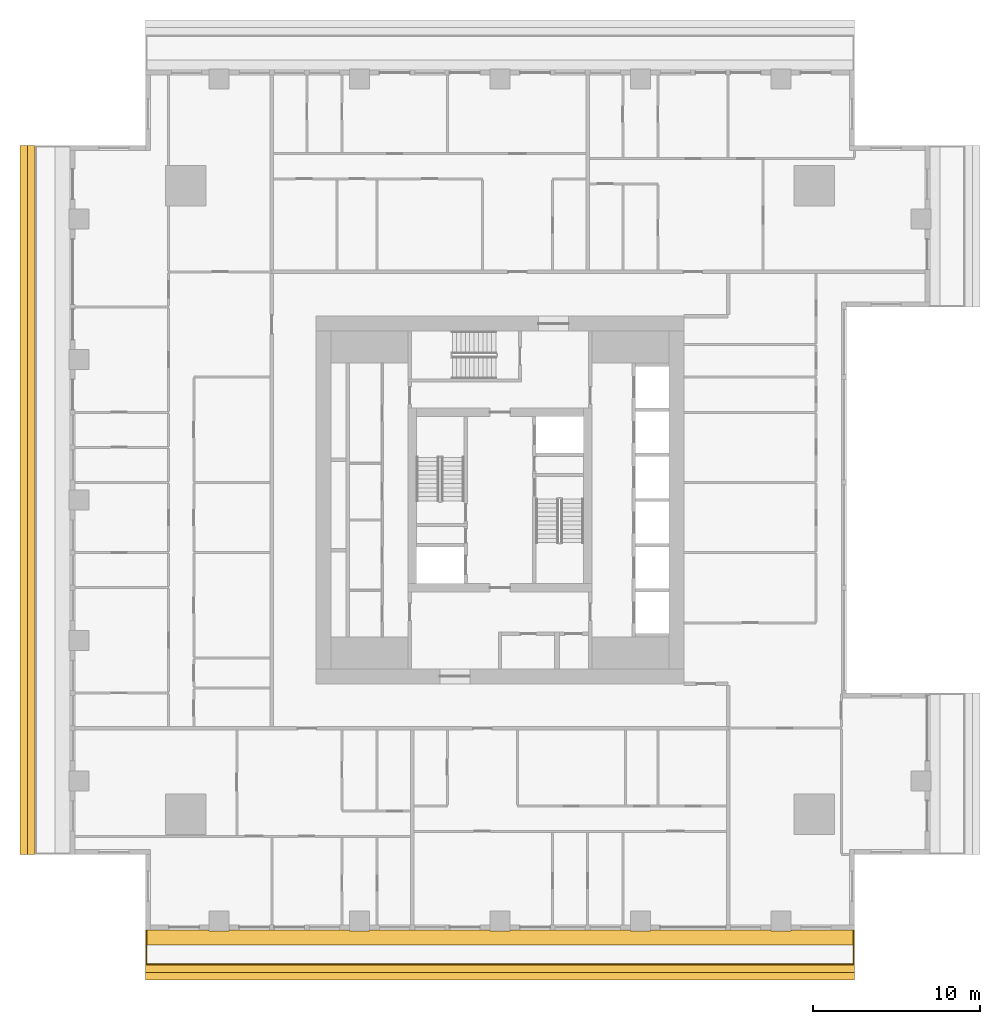
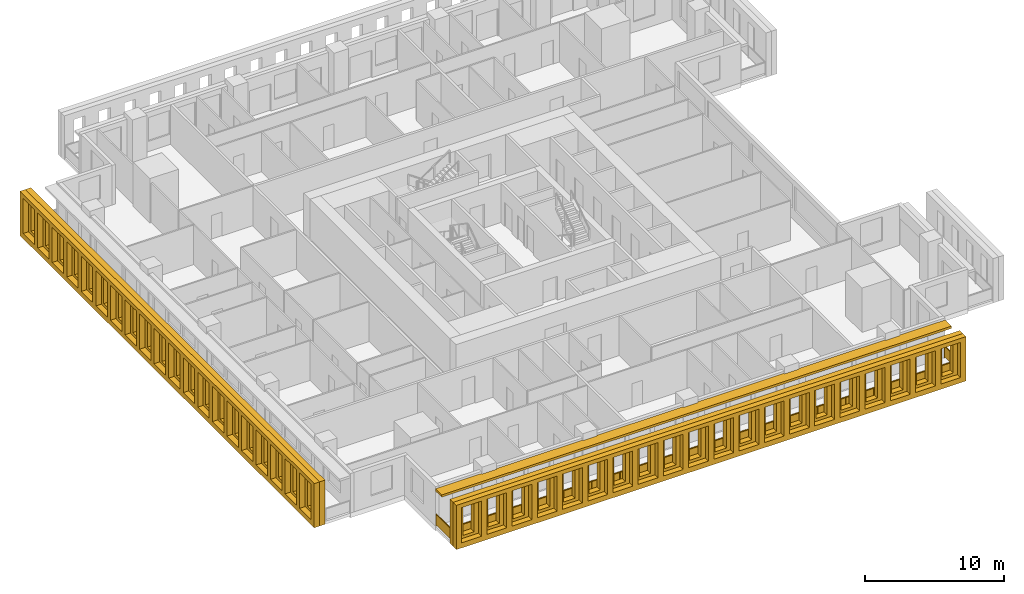
# One storey, part 10 of 15: 5 shading devices, 1 railing.
"""IFC4 building model written with IfcOpenShell, lengths in metres."""

import ifcopenshell
import ifcopenshell.guid

model = None  # the IFC model being written
_history = None  # IfcOwnerHistory: only IFC2X3 demands one
_inside = {}  # id of a spatial element -> (the spatial element, [elements in it])
_under = {}  # id of a project, library or spatial element -> (it, [spatial elements below it])
_declared = {}  # id of a project -> (the project, [libraries it declares])
_typed = {}  # id of a type object -> (the type object, [elements of that type])
_made_of = {}  # id of a material, layer set ... -> (it, [elements and type objects made of it])


def new_model(schema):
    """Start an empty IFC model of exactly this schema.

    Asked for "IFC4X3", IfcOpenShell would pick the latest addendum, in which some entities
    have other attributes; the version numbers below select the first issue.
    IFC2X3 requires an IfcOwnerHistory on every rooted entity: one is made here for all.
    """
    global model, _history
    if schema == "IFC4X3":
        model = ifcopenshell.file(schema_version=(4, 3, 0, 0))
    else:
        model = ifcopenshell.file(schema=schema)
    _inside.clear()
    _under.clear()
    _declared.clear()
    _typed.clear()
    _made_of.clear()
    _history = None
    if model.schema == "IFC2X3":
        org = make("IfcOrganization", Name="unknown")
        user = make(
            "IfcPersonAndOrganization",
            ThePerson=make("IfcPerson", FamilyName="unknown"),
            TheOrganization=org,
        )
        app = make(
            "IfcApplication",
            ApplicationDeveloper=org,
            Version="unknown",
            ApplicationFullName="unknown",
            ApplicationIdentifier="unknown",
        )
        _history = make(
            "IfcOwnerHistory",
            OwningUser=user,
            OwningApplication=app,
            ChangeAction="ADDED",
            CreationDate=0,
        )
    return model


def make(cls, **values):
    """One entity of the class cls with the attributes given. An attribute that is None is left unset."""
    return model.create_entity(
        cls, **{name: value for name, value in values.items() if value is not None}
    )


def rooted(cls, **values):
    """An entity with a GlobalId (a new one), such as an element, a storey or a relation."""
    return make(cls, GlobalId=ifcopenshell.guid.new(), OwnerHistory=_history, **values)


def si_unit(unit_type, name, prefix=None):
    """IfcSIUnit, for example si_unit("LENGTHUNIT", "METRE", prefix="MILLI")."""
    return make("IfcSIUnit", UnitType=unit_type, Prefix=prefix, Name=name)


def assignment(units):
    """IfcUnitAssignment: the units of a project."""
    return None if units is None else make("IfcUnitAssignment", Units=units)


def point(xyz):
    """IfcCartesianPoint."""
    return None if xyz is None else make("IfcCartesianPoint", Coordinates=xyz)


def direction(xyz):
    """IfcDirection."""
    return None if xyz is None else make("IfcDirection", DirectionRatios=xyz)


def frame(location, z_axis=None, x_axis=None):
    """IfcAxis2Placement3D, a coordinate frame: its origin and axes. An axis left out is left unset."""
    return make(
        "IfcAxis2Placement3D",
        Location=point(location),
        Axis=direction(z_axis),
        RefDirection=direction(x_axis),
    )


def frame_2d(location, x_axis=None):
    """IfcAxis2Placement2D, a coordinate frame in the plane: its origin and x axis."""
    return make(
        "IfcAxis2Placement2D", Location=point(location), RefDirection=direction(x_axis)
    )


def origin():
    """The frame at (0, 0, 0) with its axes left unset."""
    return frame((0.0, 0.0, 0.0))


def origin_2d():
    """The frame at (0, 0) in the plane with its x axis left unset."""
    return frame_2d((0.0, 0.0))


def place(relative_to, where):
    """IfcLocalPlacement: puts the frame where relative to a parent placement (None: the world)."""
    return make(
        "IfcLocalPlacement", PlacementRelTo=relative_to, RelativePlacement=where
    )


def context(
    kind, dimensions, precision=None, world=None, true_north=None, identifier=None
):
    """IfcGeometricRepresentationContext, for example the 3D "Model" context."""
    return make(
        "IfcGeometricRepresentationContext",
        ContextIdentifier=identifier,
        ContextType=kind,
        CoordinateSpaceDimension=dimensions,
        Precision=precision,
        WorldCoordinateSystem=world,
        TrueNorth=true_north,
    )


def subcontext(parent, identifier, kind, view, scale=None):
    """IfcGeometricRepresentationSubContext, for example "Body" below "Model"."""
    return make(
        "IfcGeometricRepresentationSubContext",
        ContextIdentifier=identifier,
        ContextType=kind,
        ParentContext=parent,
        TargetScale=scale,
        TargetView=view,
    )


def project(units=None, contexts=None):
    """IfcProject with its units and contexts."""
    return rooted(
        "IfcProject",
        Name="project",
        RepresentationContexts=contexts,
        UnitsInContext=assignment(units),
    )


def spatial(cls, under=None, at=None, **own):
    """A site, building, storey or space (cls), placed at a placement, below another one or the project."""
    s = rooted(cls, ObjectPlacement=at, **own)
    if under is not None:
        _under.setdefault(under.id(), (under, []))[1].append(s)
    return s


def polyline(points):
    """IfcPolyline through the points."""
    return make("IfcPolyline", Points=[point(p) for p in points])


def profile(cls, at=None, kind="AREA", **sizes):
    """A parametric profile (cls). Its sizes go by their IFC names, for example OverallWidth=200.0."""
    return make(cls, ProfileType=kind, Position=at, **sizes)


def rectangle(**sizes):
    """IfcRectangleProfileDef."""
    return profile("IfcRectangleProfileDef", **sizes)


def outline(outer, holes=None, kind="AREA"):
    """IfcArbitraryClosedProfileDef: a profile drawn as a closed curve; with holes, ...WithVoids."""
    if holes is None:
        return make("IfcArbitraryClosedProfileDef", ProfileType=kind, OuterCurve=outer)
    return make(
        "IfcArbitraryProfileDefWithVoids",
        ProfileType=kind,
        OuterCurve=outer,
        InnerCurves=holes,
    )


def extrude(swept, where, along, depth):
    """IfcExtrudedAreaSolid: the profile swept, set in the frame where, extruded along a direction by depth."""
    return make(
        "IfcExtrudedAreaSolid",
        SweptArea=swept,
        Position=where,
        ExtrudedDirection=direction(along),
        Depth=depth,
    )


def shape(context_of_items, identifier, shape_type, items):
    """IfcShapeRepresentation: the items that make up one representation, for example the "Body"."""
    return make(
        "IfcShapeRepresentation",
        ContextOfItems=context_of_items,
        RepresentationIdentifier=identifier,
        RepresentationType=shape_type,
        Items=items,
    )


def material(Name=None, Category=None):
    """IfcMaterial."""
    return make("IfcMaterial", Name=Name, Category=Category)


def layer(
    of_material, thickness, ventilated=None, Name=None, Category=None, Priority=None
):
    """IfcMaterialLayer: one layer of a wall or slab, of a material (None: an air gap)."""
    return make(
        "IfcMaterialLayer",
        Material=of_material,
        LayerThickness=thickness,
        IsVentilated=ventilated,
        Name=Name,
        Category=Category,
        Priority=Priority,
    )


def layer_set(layers, Name=None):
    """IfcMaterialLayerSet."""
    return make("IfcMaterialLayerSet", MaterialLayers=layers, LayerSetName=Name)


def made_of(thing, what):
    """Note that an element or type object is made of a material, layer set ...; save() writes the relation."""
    if what is not None:
        _made_of.setdefault(what.id(), (what, []))[1].append(thing)
    return thing


def type_object(cls, material=None, **own):
    """A type object (cls), such as IfcWallType, which elements share."""
    return made_of(rooted(cls, **own), material)


def element(
    cls,
    number,
    at=None,
    inside=None,
    cuts=None,
    type_object=None,
    material=None,
    context=None,
    identifier="Body",
    shape_type=None,
    held_by="IfcProductDefinitionShape",
    body=None,
    shapes=None,
    **own,
):
    """One element of the class cls, such as IfcWall. Its Tag is "e" and its number.

    at: its placement. inside: the storey or other place that contains it. cuts: it is an
    opening in that element (IfcRelVoidsElement). A single representation is given by context,
    identifier, shape_type and body (its items); several are given by shapes. held_by: the class
    of the entity that holds the representations. save() writes the other relations.
    """
    e = rooted(cls, Tag="e%d" % number, ObjectPlacement=at, **own)
    if body is not None:
        shapes = [shape(context, identifier, shape_type, body)]
    if shapes is not None:
        e.Representation = make(held_by, Representations=shapes)
    if inside is not None:
        _inside.setdefault(inside.id(), (inside, []))[1].append(e)
    if cuts is not None:
        rooted(
            "IfcRelVoidsElement", RelatingBuildingElement=cuts, RelatedOpeningElement=e
        )
    if type_object is not None:
        _typed.setdefault(type_object.id(), (type_object, []))[1].append(e)
    return made_of(e, material)


def aggregate(whole, parts):
    """IfcRelAggregates: a whole, such as a stair, and the parts it consists of."""
    return rooted("IfcRelAggregates", RelatingObject=whole, RelatedObjects=parts)


def save(model, path):
    """Write the relations noted so far, then the file.

    IfcRelAggregates (storeys below a building ...), IfcRelContainedInSpatialStructure (elements
    in a storey), IfcRelDefinesByType, IfcRelAssociatesMaterial and IfcRelDeclares: one each for
    every whole, place, type object, material and project.
    """
    for whole, parts in _under.values():
        aggregate(whole, parts)
    for where, things in _inside.values():
        rooted(
            "IfcRelContainedInSpatialStructure",
            RelatedElements=things,
            RelatingStructure=where,
        )
    for kind, things in _typed.values():
        rooted("IfcRelDefinesByType", RelatedObjects=things, RelatingType=kind)
    for what, things in _made_of.values():
        rooted("IfcRelAssociatesMaterial", RelatedObjects=things, RelatingMaterial=what)
    for by, libraries in _declared.values():
        rooted("IfcRelDeclares", RelatingContext=by, RelatedDefinitions=libraries)
    model.write(path)


model = new_model("IFC4")

# Units and contexts
model_context = context("Model", 3, precision=1e-05, world=origin(), true_north=direction((0.0, 1.0)))
body_context = subcontext(model_context, "Body", "Model", "MODEL_VIEW")
ifc_project = project(units=[si_unit("LENGTHUNIT", "METRE"), si_unit("AREAUNIT", "SQUARE_METRE"), si_unit("VOLUMEUNIT", "CUBIC_METRE"), si_unit("PLANEANGLEUNIT", "RADIAN"), si_unit("MASSUNIT", "GRAM", prefix="KILO")], contexts=[model_context])

# Site, building, storey
site_placement = place(None, origin())
site = spatial("IfcSite", under=ifc_project, at=site_placement, CompositionType="ELEMENT")
building_placement = place(site_placement, origin())
building = spatial("IfcBuilding", under=site, at=building_placement, Name="Khepri Terraces", CompositionType="ELEMENT")
storey_placement = place(building_placement, frame((0.0, 0.0, 223.5)))
storey = spatial("IfcBuildingStorey", under=building, at=storey_placement, Name="L53", CompositionType="ELEMENT", Elevation=223.5)

# Railing
ifc_material_1 = material(Name="Stainless steel grade 316", Category="steel")
railing_type = type_object("IfcRailingType", Name="GRD-BAL-1100", PredefinedType="GUARDRAIL", material=ifc_material_1)
railing_placement = place(storey_placement, frame((-21.169921875, -25.719970703125, 0.0)))
element("IfcRailing", 1, at=railing_placement, inside=storey, type_object=railing_type, Name="Balcony guard L53 S", PredefinedType="GUARDRAIL", context=body_context, shape_type="SweptSolid", body=[
    extrude(rectangle(XDim=0.050048828125, YDim=0.06005859375, at=origin_2d()), frame((0.0, 0.0, 1.070068359375), z_axis=(0.0, -1.0, 0.0), x_axis=(1.0, 0.0, 0.0)), (0.0, 0.0, 1.0), 2.050048828125),
    extrude(rectangle(XDim=2.0, YDim=0.011962890625, at=origin_2d()), frame((0.0, -1.02490234375, 0.10009765625), z_axis=(0.0, 0.0, 1.0), x_axis=(0.0, -1.0, 0.0)), (0.0, 0.0, 1.0), 0.93994140625),
    extrude(rectangle(XDim=0.050048828125, YDim=0.06005859375, at=origin_2d()), frame((0.0, -2.050048828125, 1.070068359375), z_axis=(1.0, 0.0, 0.0), x_axis=(0.0, 1.0, 0.0)), (0.0, 0.0, 1.0), 42.33984375),
    extrude(rectangle(XDim=2.30224609375, YDim=0.011962890625, at=origin_2d()), frame((1.176025390625, -2.050048828125, 0.10009765625), z_axis=(0.0, 0.0, 1.0), x_axis=(1.0, 0.0, 0.0)), (0.0, 0.0, 1.0), 0.93994140625),
    extrude(rectangle(XDim=2.30224609375, YDim=0.011962890625, at=origin_2d()), frame((3.5283203125, -2.050048828125, 0.10009765625), z_axis=(0.0, 0.0, 1.0), x_axis=(1.0, 0.0, 0.0)), (0.0, 0.0, 1.0), 0.93994140625),
    extrude(rectangle(XDim=2.30224609375, YDim=0.011962890625, at=origin_2d()), frame((5.880615234375, -2.050048828125, 0.10009765625), z_axis=(0.0, 0.0, 1.0), x_axis=(1.0, 0.0, 0.0)), (0.0, 0.0, 1.0), 0.93994140625),
    extrude(rectangle(XDim=2.30224609375, YDim=0.011962890625, at=origin_2d()), frame((8.232666015625, -2.050048828125, 0.10009765625), z_axis=(0.0, 0.0, 1.0), x_axis=(1.0, 0.0, 0.0)), (0.0, 0.0, 1.0), 0.93994140625),
    extrude(rectangle(XDim=2.30224609375, YDim=0.011962890625, at=origin_2d()), frame((10.5849609375, -2.050048828125, 0.10009765625), z_axis=(0.0, 0.0, 1.0), x_axis=(1.0, 0.0, 0.0)), (0.0, 0.0, 1.0), 0.93994140625),
    extrude(rectangle(XDim=2.30224609375, YDim=0.011962890625, at=origin_2d()), frame((12.937255859375, -2.050048828125, 0.10009765625), z_axis=(0.0, 0.0, 1.0), x_axis=(1.0, 0.0, 0.0)), (0.0, 0.0, 1.0), 0.93994140625),
    extrude(rectangle(XDim=2.30224609375, YDim=0.011962890625, at=origin_2d()), frame((15.289306640625, -2.050048828125, 0.10009765625), z_axis=(0.0, 0.0, 1.0), x_axis=(1.0, 0.0, 0.0)), (0.0, 0.0, 1.0), 0.93994140625),
    extrude(rectangle(XDim=2.30224609375, YDim=0.011962890625, at=origin_2d()), frame((17.6416015625, -2.050048828125, 0.10009765625), z_axis=(0.0, 0.0, 1.0), x_axis=(1.0, 0.0, 0.0)), (0.0, 0.0, 1.0), 0.93994140625),
    extrude(rectangle(XDim=2.30224609375, YDim=0.011962890625, at=origin_2d()), frame((19.993896484375, -2.050048828125, 0.10009765625), z_axis=(0.0, 0.0, 1.0), x_axis=(1.0, 0.0, 0.0)), (0.0, 0.0, 1.0), 0.93994140625),
    extrude(rectangle(XDim=2.30224609375, YDim=0.011962890625, at=origin_2d()), frame((22.345947265625, -2.050048828125, 0.10009765625), z_axis=(0.0, 0.0, 1.0), x_axis=(1.0, 0.0, 0.0)), (0.0, 0.0, 1.0), 0.93994140625),
    extrude(rectangle(XDim=2.30224609375, YDim=0.011962890625, at=origin_2d()), frame((24.6982421875, -2.050048828125, 0.10009765625), z_axis=(0.0, 0.0, 1.0), x_axis=(1.0, 0.0, 0.0)), (0.0, 0.0, 1.0), 0.93994140625),
    extrude(rectangle(XDim=2.30224609375, YDim=0.011962890625, at=origin_2d()), frame((27.050537109375, -2.050048828125, 0.10009765625), z_axis=(0.0, 0.0, 1.0), x_axis=(1.0, 0.0, 0.0)), (0.0, 0.0, 1.0), 0.93994140625),
    extrude(rectangle(XDim=2.30224609375, YDim=0.011962890625, at=origin_2d()), frame((29.402587890625, -2.050048828125, 0.10009765625), z_axis=(0.0, 0.0, 1.0), x_axis=(1.0, 0.0, 0.0)), (0.0, 0.0, 1.0), 0.93994140625),
    extrude(rectangle(XDim=2.30224609375, YDim=0.011962890625, at=origin_2d()), frame((31.7548828125, -2.050048828125, 0.10009765625), z_axis=(0.0, 0.0, 1.0), x_axis=(1.0, 0.0, 0.0)), (0.0, 0.0, 1.0), 0.93994140625),
    extrude(rectangle(XDim=2.30224609375, YDim=0.011962890625, at=origin_2d()), frame((34.107177734375, -2.050048828125, 0.10009765625), z_axis=(0.0, 0.0, 1.0), x_axis=(1.0, 0.0, 0.0)), (0.0, 0.0, 1.0), 0.93994140625),
    extrude(rectangle(XDim=2.30224609375, YDim=0.011962890625, at=origin_2d()), frame((36.459228515625, -2.050048828125, 0.10009765625), z_axis=(0.0, 0.0, 1.0), x_axis=(1.0, 0.0, 0.0)), (0.0, 0.0, 1.0), 0.93994140625),
    extrude(rectangle(XDim=2.30224609375, YDim=0.011962890625, at=origin_2d()), frame((38.8115234375, -2.050048828125, 0.10009765625), z_axis=(0.0, 0.0, 1.0), x_axis=(1.0, 0.0, 0.0)), (0.0, 0.0, 1.0), 0.93994140625),
    extrude(rectangle(XDim=2.30224609375, YDim=0.011962890625, at=origin_2d()), frame((41.163818359375, -2.050048828125, 0.10009765625), z_axis=(0.0, 0.0, 1.0), x_axis=(1.0, 0.0, 0.0)), (0.0, 0.0, 1.0), 0.93994140625),
    extrude(rectangle(XDim=0.050048828125, YDim=0.06005859375, at=origin_2d()), frame((42.33984375, -2.050048828125, 1.070068359375), z_axis=(0.0, 1.0, 0.0), x_axis=(-1.0, 0.0, 0.0)), (0.0, 0.0, 1.0), 2.050048828125),
    extrude(rectangle(XDim=2.0, YDim=0.011962890625, at=origin_2d()), frame((42.33984375, -1.02490234375, 0.10009765625), z_axis=(0.0, 0.0, 1.0), x_axis=(0.0, 1.0, 0.0)), (0.0, 0.0, 1.0), 0.93994140625),
    extrude(rectangle(XDim=0.050048828125, YDim=0.050048828125, at=origin_2d()), origin(), (0.0, 0.0, 1.0), 1.0400390625),
    extrude(rectangle(XDim=0.050048828125, YDim=0.050048828125, at=origin_2d()), frame((0.0, -2.050048828125, 0.0)), (0.0, 0.0, 1.0), 1.0400390625),
    extrude(rectangle(XDim=0.050048828125, YDim=0.050048828125, at=origin_2d()), frame((2.352294921875, -2.050048828125, 0.0)), (0.0, 0.0, 1.0), 1.0400390625),
    extrude(rectangle(XDim=0.050048828125, YDim=0.050048828125, at=origin_2d()), frame((4.704345703125, -2.050048828125, 0.0)), (0.0, 0.0, 1.0), 1.0400390625),
    extrude(rectangle(XDim=0.050048828125, YDim=0.050048828125, at=origin_2d()), frame((7.056640625, -2.050048828125, 0.0)), (0.0, 0.0, 1.0), 1.0400390625),
    extrude(rectangle(XDim=0.050048828125, YDim=0.050048828125, at=origin_2d()), frame((9.408935546875, -2.050048828125, 0.0)), (0.0, 0.0, 1.0), 1.0400390625),
    extrude(rectangle(XDim=0.050048828125, YDim=0.050048828125, at=origin_2d()), frame((11.760986328125, -2.050048828125, 0.0)), (0.0, 0.0, 1.0), 1.0400390625),
    extrude(rectangle(XDim=0.050048828125, YDim=0.050048828125, at=origin_2d()), frame((14.11328125, -2.050048828125, 0.0)), (0.0, 0.0, 1.0), 1.0400390625),
    extrude(rectangle(XDim=0.050048828125, YDim=0.050048828125, at=origin_2d()), frame((16.465576171875, -2.050048828125, 0.0)), (0.0, 0.0, 1.0), 1.0400390625),
    extrude(rectangle(XDim=0.050048828125, YDim=0.050048828125, at=origin_2d()), frame((18.817626953125, -2.050048828125, 0.0)), (0.0, 0.0, 1.0), 1.0400390625),
    extrude(rectangle(XDim=0.050048828125, YDim=0.050048828125, at=origin_2d()), frame((21.169921875, -2.050048828125, 0.0)), (0.0, 0.0, 1.0), 1.0400390625),
    extrude(rectangle(XDim=0.050048828125, YDim=0.050048828125, at=origin_2d()), frame((23.522216796875, -2.050048828125, 0.0)), (0.0, 0.0, 1.0), 1.0400390625),
    extrude(rectangle(XDim=0.050048828125, YDim=0.050048828125, at=origin_2d()), frame((25.874267578125, -2.050048828125, 0.0)), (0.0, 0.0, 1.0), 1.0400390625),
    extrude(rectangle(XDim=0.050048828125, YDim=0.050048828125, at=origin_2d()), frame((28.2265625, -2.050048828125, 0.0)), (0.0, 0.0, 1.0), 1.0400390625),
    extrude(rectangle(XDim=0.050048828125, YDim=0.050048828125, at=origin_2d()), frame((30.578857421875, -2.050048828125, 0.0)), (0.0, 0.0, 1.0), 1.0400390625),
    extrude(rectangle(XDim=0.050048828125, YDim=0.050048828125, at=origin_2d()), frame((32.930908203125, -2.050048828125, 0.0)), (0.0, 0.0, 1.0), 1.0400390625),
    extrude(rectangle(XDim=0.050048828125, YDim=0.050048828125, at=origin_2d()), frame((35.283203125, -2.050048828125, 0.0)), (0.0, 0.0, 1.0), 1.0400390625),
    extrude(rectangle(XDim=0.050048828125, YDim=0.050048828125, at=origin_2d()), frame((37.635498046875, -2.050048828125, 0.0)), (0.0, 0.0, 1.0), 1.0400390625),
    extrude(rectangle(XDim=0.050048828125, YDim=0.050048828125, at=origin_2d()), frame((39.987548828125, -2.050048828125, 0.0)), (0.0, 0.0, 1.0), 1.0400390625),
    extrude(rectangle(XDim=0.050048828125, YDim=0.050048828125, at=origin_2d()), frame((42.33984375, -2.050048828125, 0.0)), (0.0, 0.0, 1.0), 1.0400390625),
    extrude(rectangle(XDim=0.050048828125, YDim=0.050048828125, at=origin_2d()), frame((42.33984375, 0.0, 0.0)), (0.0, 0.0, 1.0), 1.0400390625),
])

# Shading devices
ifc_material_2 = material(Name="Precast concrete C50/60 warm stone", Category="masonry")
shading_device_type_1 = type_object("IfcShadingDeviceType", Name="SCR-CELL-INNER-450", PredefinedType="USERDEFINED", material=ifc_material_2)
shading_device_1_placement = place(storey_placement, frame((-21.219970703125, -27.820068359375, -0.25), z_axis=(0.0, -1.0, 0.0), x_axis=(1.0, 0.0, 0.0)))
element("IfcShadingDevice", 2, at=shading_device_1_placement, inside=storey, type_object=shading_device_type_1, Name="Cell screen L53 S in", ObjectType="SCREEN", PredefinedType="USERDEFINED", context=body_context, shape_type="SweptSolid", body=[
    extrude(outline(polyline([(0.0, 0.0), (42.43994140625, 0.0), (42.43994140625, 3.89990234375), (0.0, 3.89990234375), (0.0, 0.0)]), holes=[polyline([(0.797607421875, 0.699951171875), (1.742431640625, 0.699951171875), (1.742431640625, 3.300048828125), (0.797607421875, 3.300048828125), (0.797607421875, 0.699951171875)]), polyline([(2.8974609375, 0.699951171875), (3.842529296875, 0.699951171875), (3.842529296875, 3.300048828125), (2.8974609375, 3.300048828125), (2.8974609375, 0.699951171875)]), polyline([(4.99755859375, 0.699951171875), (5.9423828125, 0.699951171875), (5.9423828125, 3.300048828125), (4.99755859375, 3.300048828125), (4.99755859375, 0.699951171875)]), polyline([(7.097412109375, 0.699951171875), (8.04248046875, 0.699951171875), (8.04248046875, 3.300048828125), (7.097412109375, 3.300048828125), (7.097412109375, 0.699951171875)]), polyline([(9.197509765625, 0.699951171875), (10.142578125, 0.699951171875), (10.142578125, 3.300048828125), (9.197509765625, 3.300048828125), (9.197509765625, 0.699951171875)]), polyline([(11.297607421875, 0.699951171875), (12.242431640625, 0.699951171875), (12.242431640625, 3.300048828125), (11.297607421875, 3.300048828125), (11.297607421875, 0.699951171875)]), polyline([(13.3974609375, 0.699951171875), (14.342529296875, 0.699951171875), (14.342529296875, 3.300048828125), (13.3974609375, 3.300048828125), (13.3974609375, 0.699951171875)]), polyline([(15.49755859375, 0.699951171875), (16.4423828125, 0.699951171875), (16.4423828125, 3.300048828125), (15.49755859375, 3.300048828125), (15.49755859375, 0.699951171875)]), polyline([(17.597412109375, 0.699951171875), (18.54248046875, 0.699951171875), (18.54248046875, 3.300048828125), (17.597412109375, 3.300048828125), (17.597412109375, 0.699951171875)]), polyline([(19.697509765625, 0.699951171875), (20.642578125, 0.699951171875), (20.642578125, 3.300048828125), (19.697509765625, 3.300048828125), (19.697509765625, 0.699951171875)]), polyline([(21.797607421875, 0.699951171875), (22.742431640625, 0.699951171875), (22.742431640625, 3.300048828125), (21.797607421875, 3.300048828125), (21.797607421875, 0.699951171875)]), polyline([(23.8974609375, 0.699951171875), (24.842529296875, 0.699951171875), (24.842529296875, 3.300048828125), (23.8974609375, 3.300048828125), (23.8974609375, 0.699951171875)]), polyline([(25.99755859375, 0.699951171875), (26.9423828125, 0.699951171875), (26.9423828125, 3.300048828125), (25.99755859375, 3.300048828125), (25.99755859375, 0.699951171875)]), polyline([(28.097412109375, 0.699951171875), (29.04248046875, 0.699951171875), (29.04248046875, 3.300048828125), (28.097412109375, 3.300048828125), (28.097412109375, 0.699951171875)]), polyline([(30.197509765625, 0.699951171875), (31.142578125, 0.699951171875), (31.142578125, 3.300048828125), (30.197509765625, 3.300048828125), (30.197509765625, 0.699951171875)]), polyline([(32.297607421875, 0.699951171875), (33.242431640625, 0.699951171875), (33.242431640625, 3.300048828125), (32.297607421875, 3.300048828125), (32.297607421875, 0.699951171875)]), polyline([(34.3974609375, 0.699951171875), (35.342529296875, 0.699951171875), (35.342529296875, 3.300048828125), (34.3974609375, 3.300048828125), (34.3974609375, 0.699951171875)]), polyline([(36.49755859375, 0.699951171875), (37.4423828125, 0.699951171875), (37.4423828125, 3.300048828125), (36.49755859375, 3.300048828125), (36.49755859375, 0.699951171875)]), polyline([(38.597412109375, 0.699951171875), (39.54248046875, 0.699951171875), (39.54248046875, 3.300048828125), (38.597412109375, 3.300048828125), (38.597412109375, 0.699951171875)]), polyline([(40.697509765625, 0.699951171875), (41.642578125, 0.699951171875), (41.642578125, 3.300048828125), (40.697509765625, 3.300048828125), (40.697509765625, 0.699951171875)])]), origin(), (0.0, 0.0, 1.0), 0.449951171875),
])
shading_device_2_placement = place(storey_placement, frame((-27.820068359375, 21.219970703125, -0.25), z_axis=(-1.0, 0.0, 0.0), x_axis=(0.0, -1.0, 0.0)))
element("IfcShadingDevice", 3, at=shading_device_2_placement, inside=storey, type_object=shading_device_type_1, Name="Cell screen L53 W in", ObjectType="SCREEN", PredefinedType="USERDEFINED", context=body_context, shape_type="SweptSolid", body=[
    extrude(outline(polyline([(0.0, 0.0), (42.43994140625, 0.0), (42.43994140625, 3.89990234375), (0.0, 3.89990234375), (0.0, 0.0)]), holes=[polyline([(0.797607421875, 0.699951171875), (1.742431640625, 0.699951171875), (1.742431640625, 3.300048828125), (0.797607421875, 3.300048828125), (0.797607421875, 0.699951171875)]), polyline([(2.8974609375, 0.699951171875), (3.842529296875, 0.699951171875), (3.842529296875, 3.300048828125), (2.8974609375, 3.300048828125), (2.8974609375, 0.699951171875)]), polyline([(4.99755859375, 0.699951171875), (5.9423828125, 0.699951171875), (5.9423828125, 3.300048828125), (4.99755859375, 3.300048828125), (4.99755859375, 0.699951171875)]), polyline([(7.097412109375, 0.699951171875), (8.04248046875, 0.699951171875), (8.04248046875, 3.300048828125), (7.097412109375, 3.300048828125), (7.097412109375, 0.699951171875)]), polyline([(9.197509765625, 0.699951171875), (10.142578125, 0.699951171875), (10.142578125, 3.300048828125), (9.197509765625, 3.300048828125), (9.197509765625, 0.699951171875)]), polyline([(11.297607421875, 0.699951171875), (12.242431640625, 0.699951171875), (12.242431640625, 3.300048828125), (11.297607421875, 3.300048828125), (11.297607421875, 0.699951171875)]), polyline([(13.3974609375, 0.699951171875), (14.342529296875, 0.699951171875), (14.342529296875, 3.300048828125), (13.3974609375, 3.300048828125), (13.3974609375, 0.699951171875)]), polyline([(15.49755859375, 0.699951171875), (16.4423828125, 0.699951171875), (16.4423828125, 3.300048828125), (15.49755859375, 3.300048828125), (15.49755859375, 0.699951171875)]), polyline([(17.597412109375, 0.699951171875), (18.54248046875, 0.699951171875), (18.54248046875, 3.300048828125), (17.597412109375, 3.300048828125), (17.597412109375, 0.699951171875)]), polyline([(19.697509765625, 0.699951171875), (20.642578125, 0.699951171875), (20.642578125, 3.300048828125), (19.697509765625, 3.300048828125), (19.697509765625, 0.699951171875)]), polyline([(21.797607421875, 0.699951171875), (22.742431640625, 0.699951171875), (22.742431640625, 3.300048828125), (21.797607421875, 3.300048828125), (21.797607421875, 0.699951171875)]), polyline([(23.8974609375, 0.699951171875), (24.842529296875, 0.699951171875), (24.842529296875, 3.300048828125), (23.8974609375, 3.300048828125), (23.8974609375, 0.699951171875)]), polyline([(25.99755859375, 0.699951171875), (26.9423828125, 0.699951171875), (26.9423828125, 3.300048828125), (25.99755859375, 3.300048828125), (25.99755859375, 0.699951171875)]), polyline([(28.097412109375, 0.699951171875), (29.04248046875, 0.699951171875), (29.04248046875, 3.300048828125), (28.097412109375, 3.300048828125), (28.097412109375, 0.699951171875)]), polyline([(30.197509765625, 0.699951171875), (31.142578125, 0.699951171875), (31.142578125, 3.300048828125), (30.197509765625, 3.300048828125), (30.197509765625, 0.699951171875)]), polyline([(32.297607421875, 0.699951171875), (33.242431640625, 0.699951171875), (33.242431640625, 3.300048828125), (32.297607421875, 3.300048828125), (32.297607421875, 0.699951171875)]), polyline([(34.3974609375, 0.699951171875), (35.342529296875, 0.699951171875), (35.342529296875, 3.300048828125), (34.3974609375, 3.300048828125), (34.3974609375, 0.699951171875)]), polyline([(36.49755859375, 0.699951171875), (37.4423828125, 0.699951171875), (37.4423828125, 3.300048828125), (36.49755859375, 3.300048828125), (36.49755859375, 0.699951171875)]), polyline([(38.597412109375, 0.699951171875), (39.54248046875, 0.699951171875), (39.54248046875, 3.300048828125), (38.597412109375, 3.300048828125), (38.597412109375, 0.699951171875)]), polyline([(40.697509765625, 0.699951171875), (41.642578125, 0.699951171875), (41.642578125, 3.300048828125), (40.697509765625, 3.300048828125), (40.697509765625, 0.699951171875)])]), origin(), (0.0, 0.0, 1.0), 0.449951171875),
])
shading_device_type_2 = type_object("IfcShadingDeviceType", Name="SCR-CELL-OUTER-450", PredefinedType="USERDEFINED", material=ifc_material_2)
shading_device_3_placement = place(storey_placement, frame((-21.219970703125, -28.27001953125, -0.25), z_axis=(0.0, -1.0, 0.0), x_axis=(1.0, 0.0, 0.0)))
element("IfcShadingDevice", 4, at=shading_device_3_placement, inside=storey, type_object=shading_device_type_2, Name="Cell screen L53 S out", ObjectType="SCREEN", PredefinedType="USERDEFINED", context=body_context, shape_type="SweptSolid", body=[
    extrude(outline(polyline([(0.0, 0.0), (42.43994140625, 0.0), (42.43994140625, 3.89990234375), (0.0, 3.89990234375), (0.0, 0.0)]), holes=[polyline([(0.447509765625, 0.449951171875), (2.092529296875, 0.449951171875), (2.092529296875, 3.550048828125), (0.447509765625, 3.550048828125), (0.447509765625, 0.449951171875)]), polyline([(2.547607421875, 0.449951171875), (4.1923828125, 0.449951171875), (4.1923828125, 3.550048828125), (2.547607421875, 3.550048828125), (2.547607421875, 0.449951171875)]), polyline([(4.6474609375, 0.449951171875), (6.29248046875, 0.449951171875), (6.29248046875, 3.550048828125), (4.6474609375, 3.550048828125), (4.6474609375, 0.449951171875)]), polyline([(6.74755859375, 0.449951171875), (8.392578125, 0.449951171875), (8.392578125, 3.550048828125), (6.74755859375, 3.550048828125), (6.74755859375, 0.449951171875)]), polyline([(8.847412109375, 0.449951171875), (10.492431640625, 0.449951171875), (10.492431640625, 3.550048828125), (8.847412109375, 3.550048828125), (8.847412109375, 0.449951171875)]), polyline([(10.947509765625, 0.449951171875), (12.592529296875, 0.449951171875), (12.592529296875, 3.550048828125), (10.947509765625, 3.550048828125), (10.947509765625, 0.449951171875)]), polyline([(13.047607421875, 0.449951171875), (14.6923828125, 0.449951171875), (14.6923828125, 3.550048828125), (13.047607421875, 3.550048828125), (13.047607421875, 0.449951171875)]), polyline([(15.1474609375, 0.449951171875), (16.79248046875, 0.449951171875), (16.79248046875, 3.550048828125), (15.1474609375, 3.550048828125), (15.1474609375, 0.449951171875)]), polyline([(17.24755859375, 0.449951171875), (18.892578125, 0.449951171875), (18.892578125, 3.550048828125), (17.24755859375, 3.550048828125), (17.24755859375, 0.449951171875)]), polyline([(19.347412109375, 0.449951171875), (20.992431640625, 0.449951171875), (20.992431640625, 3.550048828125), (19.347412109375, 3.550048828125), (19.347412109375, 0.449951171875)]), polyline([(21.447509765625, 0.449951171875), (23.092529296875, 0.449951171875), (23.092529296875, 3.550048828125), (21.447509765625, 3.550048828125), (21.447509765625, 0.449951171875)]), polyline([(23.547607421875, 0.449951171875), (25.1923828125, 0.449951171875), (25.1923828125, 3.550048828125), (23.547607421875, 3.550048828125), (23.547607421875, 0.449951171875)]), polyline([(25.6474609375, 0.449951171875), (27.29248046875, 0.449951171875), (27.29248046875, 3.550048828125), (25.6474609375, 3.550048828125), (25.6474609375, 0.449951171875)]), polyline([(27.74755859375, 0.449951171875), (29.392578125, 0.449951171875), (29.392578125, 3.550048828125), (27.74755859375, 3.550048828125), (27.74755859375, 0.449951171875)]), polyline([(29.847412109375, 0.449951171875), (31.492431640625, 0.449951171875), (31.492431640625, 3.550048828125), (29.847412109375, 3.550048828125), (29.847412109375, 0.449951171875)]), polyline([(31.947509765625, 0.449951171875), (33.592529296875, 0.449951171875), (33.592529296875, 3.550048828125), (31.947509765625, 3.550048828125), (31.947509765625, 0.449951171875)]), polyline([(34.047607421875, 0.449951171875), (35.6923828125, 0.449951171875), (35.6923828125, 3.550048828125), (34.047607421875, 3.550048828125), (34.047607421875, 0.449951171875)]), polyline([(36.1474609375, 0.449951171875), (37.79248046875, 0.449951171875), (37.79248046875, 3.550048828125), (36.1474609375, 3.550048828125), (36.1474609375, 0.449951171875)]), polyline([(38.24755859375, 0.449951171875), (39.892578125, 0.449951171875), (39.892578125, 3.550048828125), (38.24755859375, 3.550048828125), (38.24755859375, 0.449951171875)]), polyline([(40.347412109375, 0.449951171875), (41.992431640625, 0.449951171875), (41.992431640625, 3.550048828125), (40.347412109375, 3.550048828125), (40.347412109375, 0.449951171875)])]), origin(), (0.0, 0.0, 1.0), 0.449951171875),
])
shading_device_4_placement = place(storey_placement, frame((-28.27001953125, 21.219970703125, -0.25), z_axis=(-1.0, 0.0, 0.0), x_axis=(0.0, -1.0, 0.0)))
element("IfcShadingDevice", 5, at=shading_device_4_placement, inside=storey, type_object=shading_device_type_2, Name="Cell screen L53 W out", ObjectType="SCREEN", PredefinedType="USERDEFINED", context=body_context, shape_type="SweptSolid", body=[
    extrude(outline(polyline([(0.0, 0.0), (42.43994140625, 0.0), (42.43994140625, 3.89990234375), (0.0, 3.89990234375), (0.0, 0.0)]), holes=[polyline([(0.447509765625, 0.449951171875), (2.092529296875, 0.449951171875), (2.092529296875, 3.550048828125), (0.447509765625, 3.550048828125), (0.447509765625, 0.449951171875)]), polyline([(2.547607421875, 0.449951171875), (4.1923828125, 0.449951171875), (4.1923828125, 3.550048828125), (2.547607421875, 3.550048828125), (2.547607421875, 0.449951171875)]), polyline([(4.6474609375, 0.449951171875), (6.29248046875, 0.449951171875), (6.29248046875, 3.550048828125), (4.6474609375, 3.550048828125), (4.6474609375, 0.449951171875)]), polyline([(6.74755859375, 0.449951171875), (8.392578125, 0.449951171875), (8.392578125, 3.550048828125), (6.74755859375, 3.550048828125), (6.74755859375, 0.449951171875)]), polyline([(8.847412109375, 0.449951171875), (10.492431640625, 0.449951171875), (10.492431640625, 3.550048828125), (8.847412109375, 3.550048828125), (8.847412109375, 0.449951171875)]), polyline([(10.947509765625, 0.449951171875), (12.592529296875, 0.449951171875), (12.592529296875, 3.550048828125), (10.947509765625, 3.550048828125), (10.947509765625, 0.449951171875)]), polyline([(13.047607421875, 0.449951171875), (14.6923828125, 0.449951171875), (14.6923828125, 3.550048828125), (13.047607421875, 3.550048828125), (13.047607421875, 0.449951171875)]), polyline([(15.1474609375, 0.449951171875), (16.79248046875, 0.449951171875), (16.79248046875, 3.550048828125), (15.1474609375, 3.550048828125), (15.1474609375, 0.449951171875)]), polyline([(17.24755859375, 0.449951171875), (18.892578125, 0.449951171875), (18.892578125, 3.550048828125), (17.24755859375, 3.550048828125), (17.24755859375, 0.449951171875)]), polyline([(19.347412109375, 0.449951171875), (20.992431640625, 0.449951171875), (20.992431640625, 3.550048828125), (19.347412109375, 3.550048828125), (19.347412109375, 0.449951171875)]), polyline([(21.447509765625, 0.449951171875), (23.092529296875, 0.449951171875), (23.092529296875, 3.550048828125), (21.447509765625, 3.550048828125), (21.447509765625, 0.449951171875)]), polyline([(23.547607421875, 0.449951171875), (25.1923828125, 0.449951171875), (25.1923828125, 3.550048828125), (23.547607421875, 3.550048828125), (23.547607421875, 0.449951171875)]), polyline([(25.6474609375, 0.449951171875), (27.29248046875, 0.449951171875), (27.29248046875, 3.550048828125), (25.6474609375, 3.550048828125), (25.6474609375, 0.449951171875)]), polyline([(27.74755859375, 0.449951171875), (29.392578125, 0.449951171875), (29.392578125, 3.550048828125), (27.74755859375, 3.550048828125), (27.74755859375, 0.449951171875)]), polyline([(29.847412109375, 0.449951171875), (31.492431640625, 0.449951171875), (31.492431640625, 3.550048828125), (29.847412109375, 3.550048828125), (29.847412109375, 0.449951171875)]), polyline([(31.947509765625, 0.449951171875), (33.592529296875, 0.449951171875), (33.592529296875, 3.550048828125), (31.947509765625, 3.550048828125), (31.947509765625, 0.449951171875)]), polyline([(34.047607421875, 0.449951171875), (35.6923828125, 0.449951171875), (35.6923828125, 3.550048828125), (34.047607421875, 3.550048828125), (34.047607421875, 0.449951171875)]), polyline([(36.1474609375, 0.449951171875), (37.79248046875, 0.449951171875), (37.79248046875, 3.550048828125), (36.1474609375, 3.550048828125), (36.1474609375, 0.449951171875)]), polyline([(38.24755859375, 0.449951171875), (39.892578125, 0.449951171875), (39.892578125, 3.550048828125), (38.24755859375, 3.550048828125), (38.24755859375, 0.449951171875)]), polyline([(40.347412109375, 0.449951171875), (41.992431640625, 0.449951171875), (41.992431640625, 3.550048828125), (40.347412109375, 3.550048828125), (40.347412109375, 0.449951171875)])]), origin(), (0.0, 0.0, 1.0), 0.449951171875),
])
ifc_layer = layer(ifc_material_2, 0.199951171875, Name="Precast concrete C50/60 warm stone", Category="masonry")
ifc_layer_set = layer_set([ifc_layer], Name="Precast concrete C50/60 warm stone")
shading_device_type_3 = type_object("IfcShadingDeviceType", Name="SSH-BAND-STONE-200", PredefinedType="USERDEFINED", material=ifc_layer_set)
shading_device_5_placement = place(storey_placement, frame((0.0, 0.0, 3.10009765625)))
element("IfcShadingDevice", 6, at=shading_device_5_placement, inside=storey, type_object=shading_device_type_3, Name="Sunshade band L53 S", ObjectType="SUNSHADE", PredefinedType="USERDEFINED", context=body_context, shape_type="SweptSolid", body=[
    extrude(outline(polyline([(-17.39990234375, -25.719970703125), (-21.219970703125, -25.719970703125), (-21.219970703125, -26.6201171875), (21.219970703125, -26.6201171875), (21.219970703125, -25.719970703125), (17.39990234375, -25.719970703125), (17.39990234375, -25.800048828125), (16.199951171875, -25.800048828125), (16.199951171875, -25.719970703125), (9.0, -25.719970703125), (9.0, -25.800048828125), (7.800048828125, -25.800048828125), (7.800048828125, -25.719970703125), (0.60009765625, -25.719970703125), (0.60009765625, -25.800048828125), (-0.60009765625, -25.800048828125), (-0.60009765625, -25.719970703125), (-7.800048828125, -25.719970703125), (-7.800048828125, -25.800048828125), (-9.0, -25.800048828125), (-9.0, -25.719970703125), (-16.199951171875, -25.719970703125), (-16.199951171875, -25.800048828125), (-17.39990234375, -25.800048828125), (-17.39990234375, -25.719970703125)])), origin(), (0.0, 0.0, 1.0), 0.199951171875),
])

save(model, "model.ifc")
